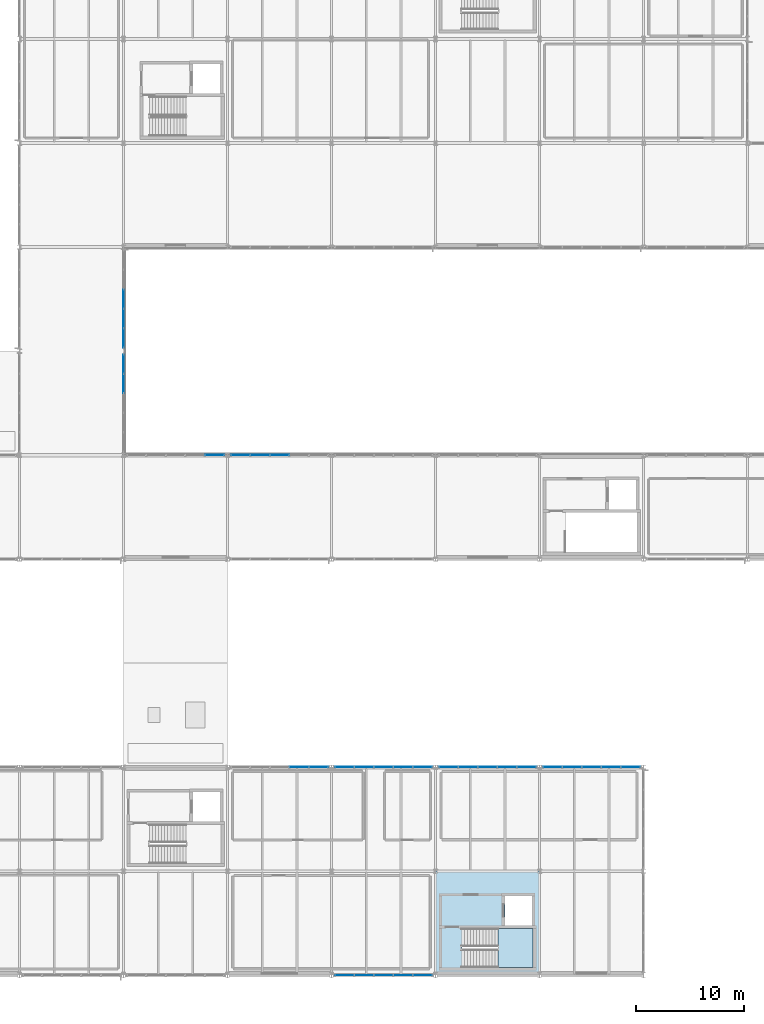
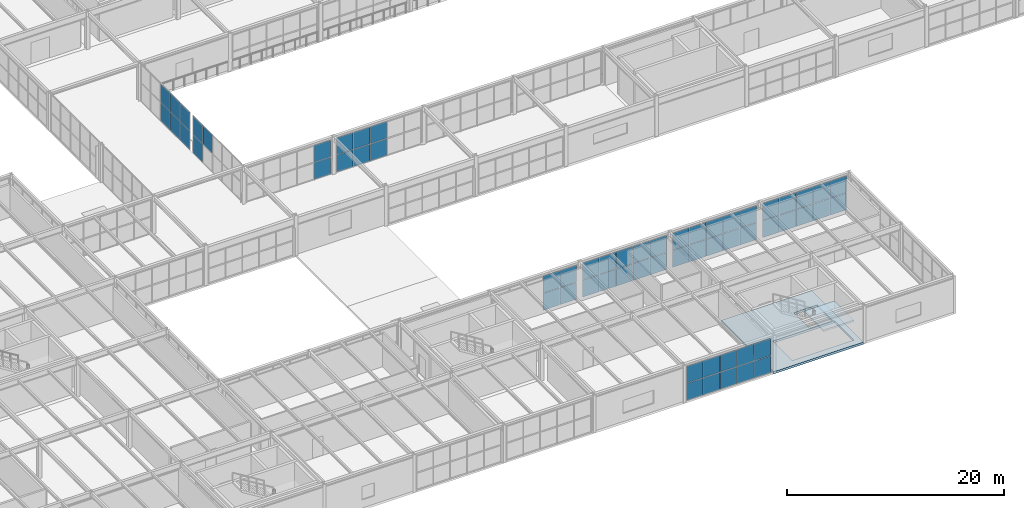
# One storey, part 135 of 170: 61 plates, 2 slabs, 10 elements without a shape of their own.
"""IFC4 building model written with IfcOpenShell, lengths in metres."""

from ifc_helpers import new_model, si_unit, direction, frame, origin, origin_2d, place, context, subcontext, project, spatial, polyline, rectangle, outline, extrude, material, layer, layer_set, type_object, element, aggregate, save


model = new_model("IFC4")

# Units and contexts
model_context = context("Model", 3, precision=1e-05, world=origin(), true_north=direction((0.0, 1.0)))
body_context = subcontext(model_context, "Body", "Model", "MODEL_VIEW")
ifc_project = project(units=[si_unit("LENGTHUNIT", "METRE"), si_unit("AREAUNIT", "SQUARE_METRE"), si_unit("VOLUMEUNIT", "CUBIC_METRE"), si_unit("PLANEANGLEUNIT", "RADIAN"), si_unit("MASSUNIT", "GRAM", prefix="KILO")], contexts=[model_context])

# Site, building, storey
site_placement = place(None, origin())
site = spatial("IfcSite", under=ifc_project, at=site_placement, CompositionType="ELEMENT")
building_placement = place(site_placement, origin())
building = spatial("IfcBuilding", under=site, at=building_placement, Name="Coralgate Yard Interchange", CompositionType="ELEMENT")
storey_placement = place(building_placement, frame((0.0, 0.0, 6.0)))
storey = spatial("IfcBuildingStorey", under=building, at=storey_placement, Name="L01", CompositionType="ELEMENT", Elevation=6.0)

# Curtain wall, plates
ifc_material_1 = material(Name="Anodised coastal aluminium and solar-control low-E glass", Category="aluminium")
curtain_wall_type_1 = type_object("IfcCurtainWallType", Name="CW-CW-L01-B", PredefinedType="NOTDEFINED", material=ifc_material_1)
curtain_wall_1_placement = place(storey_placement, origin())
curtain_wall_1 = element("IfcCurtainWall", 1, at=curtain_wall_1_placement, inside=storey, type_object=curtain_wall_type_1, Name="L01 unitised curtain wall CW-L01-E-04-05", PredefinedType="NOTDEFINED")
ifc_material_2 = material(Name="Solar-control double-glazed low-E glass unit", Category="glass")
ifc_layer_1 = layer(ifc_material_2, 0.031982421875)
ifc_layer_set_1 = layer_set([ifc_layer_1], Name="Solar-control double-glazed low-E glass unit")
plate_type = type_object("IfcPlateType", Name="PLT-CP-32", PredefinedType="CURTAIN_PANEL", material=ifc_layer_set_1)
plate_1_placement = place(storey_placement, frame((48.0, 56.39990234375, 0.02490234375), z_axis=(0.0, 0.0, 1.0), x_axis=(0.0, -1.0, 0.0)))
plate_1 = element("IfcPlate", 2, at=plate_1_placement, type_object=plate_type, Name="CW-L01-E-04-05 solar-control glazing panel 1-1", PredefinedType="CURTAIN_PANEL", context=body_context, shape_type="SweptSolid", body=[
    extrude(rectangle(XDim=1.75, YDim=0.031982421875, at=origin_2d()), origin(), (0.0, 0.0, 1.0), 2.074951171875),
])
plate_2_placement = place(storey_placement, frame((48.0, 56.39990234375, 2.14990234375), z_axis=(0.0, 0.0, 1.0), x_axis=(0.0, -1.0, 0.0)))
plate_2 = element("IfcPlate", 3, at=plate_2_placement, type_object=plate_type, Name="CW-L01-E-04-05 solar-control glazing panel 1-2", PredefinedType="CURTAIN_PANEL", context=body_context, shape_type="SweptSolid", body=[
    extrude(rectangle(XDim=1.75, YDim=0.031982421875, at=origin_2d()), origin(), (0.0, 0.0, 1.0), 2.074951171875),
])
plate_3_placement = place(storey_placement, frame((48.0, 54.60009765625, 2.14990234375), z_axis=(0.0, 0.0, 1.0), x_axis=(0.0, -1.0, 0.0)))
plate_3 = element("IfcPlate", 4, at=plate_3_placement, type_object=plate_type, Name="CW-L01-E-04-05 solar-control glazing panel 2-2", PredefinedType="CURTAIN_PANEL", context=body_context, shape_type="SweptSolid", body=[
    extrude(rectangle(XDim=1.75, YDim=0.031982421875, at=origin_2d()), origin(), (0.0, 0.0, 1.0), 2.074951171875),
])
aggregate(curtain_wall_1, [plate_1, plate_2, plate_3])

curtain_wall_2_placement = place(storey_placement, origin())
curtain_wall_2 = element("IfcCurtainWall", 5, at=curtain_wall_2_placement, inside=storey, type_object=curtain_wall_type_1, Name="L01 unitised curtain wall CW-L01-E-04-06", PredefinedType="NOTDEFINED")
plate_4_placement = place(storey_placement, frame((48.0, 62.39990234375, 0.02490234375), z_axis=(0.0, 0.0, 1.0), x_axis=(0.0, -1.0, 0.0)))
plate_4 = element("IfcPlate", 6, at=plate_4_placement, type_object=plate_type, Name="CW-L01-E-04-06 solar-control glazing panel 3-1", PredefinedType="CURTAIN_PANEL", context=body_context, shape_type="SweptSolid", body=[
    extrude(rectangle(XDim=1.75, YDim=0.031982421875, at=origin_2d()), origin(), (0.0, 0.0, 1.0), 2.074951171875),
])
plate_5_placement = place(storey_placement, frame((48.0, 62.39990234375, 2.14990234375), z_axis=(0.0, 0.0, 1.0), x_axis=(0.0, -1.0, 0.0)))
plate_5 = element("IfcPlate", 7, at=plate_5_placement, type_object=plate_type, Name="CW-L01-E-04-06 solar-control glazing panel 3-2", PredefinedType="CURTAIN_PANEL", context=body_context, shape_type="SweptSolid", body=[
    extrude(rectangle(XDim=1.75, YDim=0.031982421875, at=origin_2d()), origin(), (0.0, 0.0, 1.0), 2.074951171875),
])
plate_6_placement = place(storey_placement, frame((48.0, 60.60009765625, 0.02490234375), z_axis=(0.0, 0.0, 1.0), x_axis=(0.0, -1.0, 0.0)))
plate_6 = element("IfcPlate", 8, at=plate_6_placement, type_object=plate_type, Name="CW-L01-E-04-06 solar-control glazing panel 4-1", PredefinedType="CURTAIN_PANEL", context=body_context, shape_type="SweptSolid", body=[
    extrude(rectangle(XDim=1.75, YDim=0.031982421875, at=origin_2d()), origin(), (0.0, 0.0, 1.0), 2.074951171875),
])
plate_7_placement = place(storey_placement, frame((48.0, 60.60009765625, 2.14990234375), z_axis=(0.0, 0.0, 1.0), x_axis=(0.0, -1.0, 0.0)))
plate_7 = element("IfcPlate", 9, at=plate_7_placement, type_object=plate_type, Name="CW-L01-E-04-06 solar-control glazing panel 4-2", PredefinedType="CURTAIN_PANEL", context=body_context, shape_type="SweptSolid", body=[
    extrude(rectangle(XDim=1.75, YDim=0.031982421875, at=origin_2d()), origin(), (0.0, 0.0, 1.0), 2.074951171875),
])
plate_8_placement = place(storey_placement, frame((48.0, 58.800048828125, 0.02490234375), z_axis=(0.0, 0.0, 1.0), x_axis=(0.0, -1.0, 0.0)))
plate_8 = element("IfcPlate", 10, at=plate_8_placement, type_object=plate_type, Name="CW-L01-E-04-06 solar-control glazing panel 5-1", PredefinedType="CURTAIN_PANEL", context=body_context, shape_type="SweptSolid", body=[
    extrude(rectangle(XDim=1.75, YDim=0.031982421875, at=origin_2d()), origin(), (0.0, 0.0, 1.0), 2.074951171875),
])
plate_9_placement = place(storey_placement, frame((48.0, 58.800048828125, 2.14990234375), z_axis=(0.0, 0.0, 1.0), x_axis=(0.0, -1.0, 0.0)))
plate_9 = element("IfcPlate", 11, at=plate_9_placement, type_object=plate_type, Name="CW-L01-E-04-06 solar-control glazing panel 5-2", PredefinedType="CURTAIN_PANEL", context=body_context, shape_type="SweptSolid", body=[
    extrude(rectangle(XDim=1.75, YDim=0.031982421875, at=origin_2d()), origin(), (0.0, 0.0, 1.0), 2.074951171875),
])
aggregate(curtain_wall_2, [plate_4, plate_5, plate_6, plate_7, plate_8, plate_9])

curtain_wall_3_placement = place(storey_placement, origin())
curtain_wall_3 = element("IfcCurtainWall", 12, at=curtain_wall_3_placement, inside=storey, type_object=curtain_wall_type_1, Name="L01 unitised curtain wall CW-L01-N-05-04", PredefinedType="NOTDEFINED")
plate_10_placement = place(storey_placement, frame((56.39990234375, 48.0, 0.025146484375), z_axis=(0.0, 0.0, 1.0), x_axis=(1.0, 0.0, 0.0)))
plate_10 = element("IfcPlate", 13, at=plate_10_placement, type_object=plate_type, Name="CW-L01-N-05-04 solar-control glazing panel 5-1", PredefinedType="CURTAIN_PANEL", context=body_context, shape_type="SweptSolid", body=[
    extrude(rectangle(XDim=1.75, YDim=0.031982421875, at=origin_2d()), origin(), (0.0, 0.0, 1.0), 1.89990234375),
])
plate_11_placement = place(storey_placement, frame((56.39990234375, 48.0, 1.97509765625), z_axis=(0.0, 0.0, 1.0), x_axis=(1.0, 0.0, 0.0)))
plate_11 = element("IfcPlate", 14, at=plate_11_placement, type_object=plate_type, Name="CW-L01-N-05-04 solar-control glazing panel 5-2", PredefinedType="CURTAIN_PANEL", context=body_context, shape_type="SweptSolid", body=[
    extrude(rectangle(XDim=1.75, YDim=0.031982421875, at=origin_2d()), origin(), (0.0, 0.0, 1.0), 1.89990234375),
])
aggregate(curtain_wall_3, [plate_10, plate_11])

curtain_wall_4_placement = place(storey_placement, origin())
curtain_wall_4 = element("IfcCurtainWall", 15, at=curtain_wall_4_placement, inside=storey, type_object=curtain_wall_type_1, Name="L01 unitised curtain wall CW-L01-N-06-01", PredefinedType="NOTDEFINED")
plate_12_placement = place(storey_placement, frame((64.199951171875, 19.199951171875, 0.025146484375), z_axis=(0.0, 0.0, 1.0), x_axis=(1.0, 0.0, 0.0)))
plate_12 = element("IfcPlate", 16, at=plate_12_placement, type_object=plate_type, Name="CW-L01-N-06-01 solar-control glazing panel 4-1", PredefinedType="CURTAIN_PANEL", context=body_context, shape_type="SweptSolid", body=[
    extrude(rectangle(XDim=1.75, YDim=0.031982421875, at=origin_2d()), origin(), (0.0, 0.0, 1.0), 1.89990234375),
])
plate_13_placement = place(storey_placement, frame((64.199951171875, 19.199951171875, 1.97509765625), z_axis=(0.0, 0.0, 1.0), x_axis=(1.0, 0.0, 0.0)))
plate_13 = element("IfcPlate", 17, at=plate_13_placement, type_object=plate_type, Name="CW-L01-N-06-01 solar-control glazing panel 4-2", PredefinedType="CURTAIN_PANEL", context=body_context, shape_type="SweptSolid", body=[
    extrude(rectangle(XDim=1.75, YDim=0.031982421875, at=origin_2d()), origin(), (0.0, 0.0, 1.0), 1.89990234375),
])
plate_14_placement = place(storey_placement, frame((66.0, 19.199951171875, 0.025146484375), z_axis=(0.0, 0.0, 1.0), x_axis=(1.0, 0.0, 0.0)))
plate_14 = element("IfcPlate", 18, at=plate_14_placement, type_object=plate_type, Name="CW-L01-N-06-01 solar-control glazing panel 5-1", PredefinedType="CURTAIN_PANEL", context=body_context, shape_type="SweptSolid", body=[
    extrude(rectangle(XDim=1.75, YDim=0.031982421875, at=origin_2d()), origin(), (0.0, 0.0, 1.0), 1.89990234375),
])
plate_15_placement = place(storey_placement, frame((66.0, 19.199951171875, 1.97509765625), z_axis=(0.0, 0.0, 1.0), x_axis=(1.0, 0.0, 0.0)))
plate_15 = element("IfcPlate", 19, at=plate_15_placement, type_object=plate_type, Name="CW-L01-N-06-01 solar-control glazing panel 5-2", PredefinedType="CURTAIN_PANEL", context=body_context, shape_type="SweptSolid", body=[
    extrude(rectangle(XDim=1.75, YDim=0.031982421875, at=origin_2d()), origin(), (0.0, 0.0, 1.0), 1.89990234375),
])
aggregate(curtain_wall_4, [plate_12, plate_13, plate_14, plate_15])

curtain_wall_5_placement = place(storey_placement, origin())
curtain_wall_5 = element("IfcCurtainWall", 20, at=curtain_wall_5_placement, inside=storey, type_object=curtain_wall_type_1, Name="L01 unitised curtain wall CW-L01-N-06-04", PredefinedType="NOTDEFINED")
plate_16_placement = place(storey_placement, frame((58.800048828125, 48.0, 0.025146484375), z_axis=(0.0, 0.0, 1.0), x_axis=(1.0, 0.0, 0.0)))
plate_16 = element("IfcPlate", 21, at=plate_16_placement, type_object=plate_type, Name="CW-L01-N-06-04 solar-control glazing panel 1-1", PredefinedType="CURTAIN_PANEL", context=body_context, shape_type="SweptSolid", body=[
    extrude(rectangle(XDim=1.75, YDim=0.031982421875, at=origin_2d()), origin(), (0.0, 0.0, 1.0), 1.89990234375),
])
plate_17_placement = place(storey_placement, frame((58.800048828125, 48.0, 1.97509765625), z_axis=(0.0, 0.0, 1.0), x_axis=(1.0, 0.0, 0.0)))
plate_17 = element("IfcPlate", 22, at=plate_17_placement, type_object=plate_type, Name="CW-L01-N-06-04 solar-control glazing panel 1-2", PredefinedType="CURTAIN_PANEL", context=body_context, shape_type="SweptSolid", body=[
    extrude(rectangle(XDim=1.75, YDim=0.031982421875, at=origin_2d()), origin(), (0.0, 0.0, 1.0), 1.89990234375),
])
plate_18_placement = place(storey_placement, frame((60.60009765625, 48.0, 0.025146484375), z_axis=(0.0, 0.0, 1.0), x_axis=(1.0, 0.0, 0.0)))
plate_18 = element("IfcPlate", 23, at=plate_18_placement, type_object=plate_type, Name="CW-L01-N-06-04 solar-control glazing panel 2-1", PredefinedType="CURTAIN_PANEL", context=body_context, shape_type="SweptSolid", body=[
    extrude(rectangle(XDim=1.75, YDim=0.031982421875, at=origin_2d()), origin(), (0.0, 0.0, 1.0), 1.89990234375),
])
plate_19_placement = place(storey_placement, frame((60.60009765625, 48.0, 1.97509765625), z_axis=(0.0, 0.0, 1.0), x_axis=(1.0, 0.0, 0.0)))
plate_19 = element("IfcPlate", 24, at=plate_19_placement, type_object=plate_type, Name="CW-L01-N-06-04 solar-control glazing panel 2-2", PredefinedType="CURTAIN_PANEL", context=body_context, shape_type="SweptSolid", body=[
    extrude(rectangle(XDim=1.75, YDim=0.031982421875, at=origin_2d()), origin(), (0.0, 0.0, 1.0), 1.89990234375),
])
plate_20_placement = place(storey_placement, frame((62.39990234375, 48.0, 0.025146484375), z_axis=(0.0, 0.0, 1.0), x_axis=(1.0, 0.0, 0.0)))
plate_20 = element("IfcPlate", 25, at=plate_20_placement, type_object=plate_type, Name="CW-L01-N-06-04 solar-control glazing panel 3-1", PredefinedType="CURTAIN_PANEL", context=body_context, shape_type="SweptSolid", body=[
    extrude(rectangle(XDim=1.75, YDim=0.031982421875, at=origin_2d()), origin(), (0.0, 0.0, 1.0), 1.89990234375),
])
plate_21_placement = place(storey_placement, frame((62.39990234375, 48.0, 1.97509765625), z_axis=(0.0, 0.0, 1.0), x_axis=(1.0, 0.0, 0.0)))
plate_21 = element("IfcPlate", 26, at=plate_21_placement, type_object=plate_type, Name="CW-L01-N-06-04 solar-control glazing panel 3-2", PredefinedType="CURTAIN_PANEL", context=body_context, shape_type="SweptSolid", body=[
    extrude(rectangle(XDim=1.75, YDim=0.031982421875, at=origin_2d()), origin(), (0.0, 0.0, 1.0), 1.89990234375),
])
aggregate(curtain_wall_5, [plate_16, plate_17, plate_18, plate_19, plate_20, plate_21])

curtain_wall_type_2 = type_object("IfcCurtainWallType", Name="CW-CW-L01-A", PredefinedType="NOTDEFINED", material=ifc_material_1)
curtain_wall_6_placement = place(storey_placement, origin())
curtain_wall_6 = element("IfcCurtainWall", 27, at=curtain_wall_6_placement, inside=storey, type_object=curtain_wall_type_2, Name="L01 unitised curtain wall CW-L01-S-07-00", PredefinedType="NOTDEFINED")
plate_22_placement = place(storey_placement, frame((75.60009765625, 0.0, 0.025146484375), z_axis=(0.0, 0.0, 1.0), x_axis=(-1.0, 0.0, 0.0)))
plate_22 = element("IfcPlate", 28, at=plate_22_placement, type_object=plate_type, Name="CW-L01-S-07-00 solar-control glazing panel 1-1", PredefinedType="CURTAIN_PANEL", context=body_context, shape_type="SweptSolid", body=[
    extrude(rectangle(XDim=1.75, YDim=0.031982421875, at=origin_2d()), origin(), (0.0, 0.0, 1.0), 1.89990234375),
])
plate_23_placement = place(storey_placement, frame((75.60009765625, 0.0, 1.97509765625), z_axis=(0.0, 0.0, 1.0), x_axis=(-1.0, 0.0, 0.0)))
plate_23 = element("IfcPlate", 29, at=plate_23_placement, type_object=plate_type, Name="CW-L01-S-07-00 solar-control glazing panel 1-2", PredefinedType="CURTAIN_PANEL", context=body_context, shape_type="SweptSolid", body=[
    extrude(rectangle(XDim=1.75, YDim=0.031982421875, at=origin_2d()), origin(), (0.0, 0.0, 1.0), 1.89990234375),
])
plate_24_placement = place(storey_placement, frame((73.800048828125, 0.0, 0.025146484375), z_axis=(0.0, 0.0, 1.0), x_axis=(-1.0, 0.0, 0.0)))
plate_24 = element("IfcPlate", 30, at=plate_24_placement, type_object=plate_type, Name="CW-L01-S-07-00 solar-control glazing panel 2-1", PredefinedType="CURTAIN_PANEL", context=body_context, shape_type="SweptSolid", body=[
    extrude(rectangle(XDim=1.75, YDim=0.031982421875, at=origin_2d()), origin(), (0.0, 0.0, 1.0), 1.89990234375),
])
plate_25_placement = place(storey_placement, frame((73.800048828125, 0.0, 1.97509765625), z_axis=(0.0, 0.0, 1.0), x_axis=(-1.0, 0.0, 0.0)))
plate_25 = element("IfcPlate", 31, at=plate_25_placement, type_object=plate_type, Name="CW-L01-S-07-00 solar-control glazing panel 2-2", PredefinedType="CURTAIN_PANEL", context=body_context, shape_type="SweptSolid", body=[
    extrude(rectangle(XDim=1.75, YDim=0.031982421875, at=origin_2d()), origin(), (0.0, 0.0, 1.0), 1.89990234375),
])
plate_26_placement = place(storey_placement, frame((72.0, 0.0, 0.025146484375), z_axis=(0.0, 0.0, 1.0), x_axis=(-1.0, 0.0, 0.0)))
plate_26 = element("IfcPlate", 32, at=plate_26_placement, type_object=plate_type, Name="CW-L01-S-07-00 solar-control glazing panel 3-1", PredefinedType="CURTAIN_PANEL", context=body_context, shape_type="SweptSolid", body=[
    extrude(rectangle(XDim=1.75, YDim=0.031982421875, at=origin_2d()), origin(), (0.0, 0.0, 1.0), 1.89990234375),
])
plate_27_placement = place(storey_placement, frame((72.0, 0.0, 1.97509765625), z_axis=(0.0, 0.0, 1.0), x_axis=(-1.0, 0.0, 0.0)))
plate_27 = element("IfcPlate", 33, at=plate_27_placement, type_object=plate_type, Name="CW-L01-S-07-00 solar-control glazing panel 3-2", PredefinedType="CURTAIN_PANEL", context=body_context, shape_type="SweptSolid", body=[
    extrude(rectangle(XDim=1.75, YDim=0.031982421875, at=origin_2d()), origin(), (0.0, 0.0, 1.0), 1.89990234375),
])
plate_28_placement = place(storey_placement, frame((70.199951171875, 0.0, 0.025146484375), z_axis=(0.0, 0.0, 1.0), x_axis=(-1.0, 0.0, 0.0)))
plate_28 = element("IfcPlate", 34, at=plate_28_placement, type_object=plate_type, Name="CW-L01-S-07-00 solar-control glazing panel 4-1", PredefinedType="CURTAIN_PANEL", context=body_context, shape_type="SweptSolid", body=[
    extrude(rectangle(XDim=1.75, YDim=0.031982421875, at=origin_2d()), origin(), (0.0, 0.0, 1.0), 1.89990234375),
])
plate_29_placement = place(storey_placement, frame((70.199951171875, 0.0, 1.97509765625), z_axis=(0.0, 0.0, 1.0), x_axis=(-1.0, 0.0, 0.0)))
plate_29 = element("IfcPlate", 35, at=plate_29_placement, type_object=plate_type, Name="CW-L01-S-07-00 solar-control glazing panel 4-2", PredefinedType="CURTAIN_PANEL", context=body_context, shape_type="SweptSolid", body=[
    extrude(rectangle(XDim=1.75, YDim=0.031982421875, at=origin_2d()), origin(), (0.0, 0.0, 1.0), 1.89990234375),
])
plate_30_placement = place(storey_placement, frame((68.39990234375, 0.0, 0.025146484375), z_axis=(0.0, 0.0, 1.0), x_axis=(-1.0, 0.0, 0.0)))
plate_30 = element("IfcPlate", 36, at=plate_30_placement, type_object=plate_type, Name="CW-L01-S-07-00 solar-control glazing panel 5-1", PredefinedType="CURTAIN_PANEL", context=body_context, shape_type="SweptSolid", body=[
    extrude(rectangle(XDim=1.75, YDim=0.031982421875, at=origin_2d()), origin(), (0.0, 0.0, 1.0), 1.89990234375),
])
plate_31_placement = place(storey_placement, frame((68.39990234375, 0.0, 1.97509765625), z_axis=(0.0, 0.0, 1.0), x_axis=(-1.0, 0.0, 0.0)))
plate_31 = element("IfcPlate", 37, at=plate_31_placement, type_object=plate_type, Name="CW-L01-S-07-00 solar-control glazing panel 5-2", PredefinedType="CURTAIN_PANEL", context=body_context, shape_type="SweptSolid", body=[
    extrude(rectangle(XDim=1.75, YDim=0.031982421875, at=origin_2d()), origin(), (0.0, 0.0, 1.0), 1.89990234375),
])
aggregate(curtain_wall_6, [plate_22, plate_23, plate_24, plate_25, plate_26, plate_27, plate_28, plate_29, plate_30, plate_31])

curtain_wall_7_placement = place(storey_placement, origin())
curtain_wall_7 = element("IfcCurtainWall", 38, at=curtain_wall_7_placement, inside=storey, type_object=curtain_wall_type_1, Name="L01 unitised curtain wall CW-L01-N-07-01", PredefinedType="NOTDEFINED")
plate_32_placement = place(storey_placement, frame((68.39990234375, 19.199951171875, 0.025146484375), z_axis=(0.0, 0.0, 1.0), x_axis=(1.0, 0.0, 0.0)))
plate_32 = element("IfcPlate", 39, at=plate_32_placement, type_object=plate_type, Name="CW-L01-N-07-01 solar-control glazing panel 1-1", PredefinedType="CURTAIN_PANEL", context=body_context, shape_type="SweptSolid", body=[
    extrude(rectangle(XDim=1.75, YDim=0.031982421875, at=origin_2d()), origin(), (0.0, 0.0, 1.0), 1.89990234375),
])
plate_33_placement = place(storey_placement, frame((68.39990234375, 19.199951171875, 1.97509765625), z_axis=(0.0, 0.0, 1.0), x_axis=(1.0, 0.0, 0.0)))
plate_33 = element("IfcPlate", 40, at=plate_33_placement, type_object=plate_type, Name="CW-L01-N-07-01 solar-control glazing panel 1-2", PredefinedType="CURTAIN_PANEL", context=body_context, shape_type="SweptSolid", body=[
    extrude(rectangle(XDim=1.75, YDim=0.031982421875, at=origin_2d()), origin(), (0.0, 0.0, 1.0), 1.89990234375),
])
plate_34_placement = place(storey_placement, frame((70.199951171875, 19.199951171875, 0.025146484375), z_axis=(0.0, 0.0, 1.0), x_axis=(1.0, 0.0, 0.0)))
plate_34 = element("IfcPlate", 41, at=plate_34_placement, type_object=plate_type, Name="CW-L01-N-07-01 solar-control glazing panel 2-1", PredefinedType="CURTAIN_PANEL", context=body_context, shape_type="SweptSolid", body=[
    extrude(rectangle(XDim=1.75, YDim=0.031982421875, at=origin_2d()), origin(), (0.0, 0.0, 1.0), 1.89990234375),
])
plate_35_placement = place(storey_placement, frame((70.199951171875, 19.199951171875, 1.97509765625), z_axis=(0.0, 0.0, 1.0), x_axis=(1.0, 0.0, 0.0)))
plate_35 = element("IfcPlate", 42, at=plate_35_placement, type_object=plate_type, Name="CW-L01-N-07-01 solar-control glazing panel 2-2", PredefinedType="CURTAIN_PANEL", context=body_context, shape_type="SweptSolid", body=[
    extrude(rectangle(XDim=1.75, YDim=0.031982421875, at=origin_2d()), origin(), (0.0, 0.0, 1.0), 1.89990234375),
])
plate_36_placement = place(storey_placement, frame((72.0, 19.199951171875, 0.025146484375), z_axis=(0.0, 0.0, 1.0), x_axis=(1.0, 0.0, 0.0)))
plate_36 = element("IfcPlate", 43, at=plate_36_placement, type_object=plate_type, Name="CW-L01-N-07-01 solar-control glazing panel 3-1", PredefinedType="CURTAIN_PANEL", context=body_context, shape_type="SweptSolid", body=[
    extrude(rectangle(XDim=1.75, YDim=0.031982421875, at=origin_2d()), origin(), (0.0, 0.0, 1.0), 1.89990234375),
])
plate_37_placement = place(storey_placement, frame((72.0, 19.199951171875, 1.97509765625), z_axis=(0.0, 0.0, 1.0), x_axis=(1.0, 0.0, 0.0)))
plate_37 = element("IfcPlate", 44, at=plate_37_placement, type_object=plate_type, Name="CW-L01-N-07-01 solar-control glazing panel 3-2", PredefinedType="CURTAIN_PANEL", context=body_context, shape_type="SweptSolid", body=[
    extrude(rectangle(XDim=1.75, YDim=0.031982421875, at=origin_2d()), origin(), (0.0, 0.0, 1.0), 1.89990234375),
])
plate_38_placement = place(storey_placement, frame((73.800048828125, 19.199951171875, 0.025146484375), z_axis=(0.0, 0.0, 1.0), x_axis=(1.0, 0.0, 0.0)))
plate_38 = element("IfcPlate", 45, at=plate_38_placement, type_object=plate_type, Name="CW-L01-N-07-01 solar-control glazing panel 4-1", PredefinedType="CURTAIN_PANEL", context=body_context, shape_type="SweptSolid", body=[
    extrude(rectangle(XDim=1.75, YDim=0.031982421875, at=origin_2d()), origin(), (0.0, 0.0, 1.0), 1.89990234375),
])
plate_39_placement = place(storey_placement, frame((73.800048828125, 19.199951171875, 1.97509765625), z_axis=(0.0, 0.0, 1.0), x_axis=(1.0, 0.0, 0.0)))
plate_39 = element("IfcPlate", 46, at=plate_39_placement, type_object=plate_type, Name="CW-L01-N-07-01 solar-control glazing panel 4-2", PredefinedType="CURTAIN_PANEL", context=body_context, shape_type="SweptSolid", body=[
    extrude(rectangle(XDim=1.75, YDim=0.031982421875, at=origin_2d()), origin(), (0.0, 0.0, 1.0), 1.89990234375),
])
plate_40_placement = place(storey_placement, frame((75.60009765625, 19.199951171875, 0.025146484375), z_axis=(0.0, 0.0, 1.0), x_axis=(1.0, 0.0, 0.0)))
plate_40 = element("IfcPlate", 47, at=plate_40_placement, type_object=plate_type, Name="CW-L01-N-07-01 solar-control glazing panel 5-1", PredefinedType="CURTAIN_PANEL", context=body_context, shape_type="SweptSolid", body=[
    extrude(rectangle(XDim=1.75, YDim=0.031982421875, at=origin_2d()), origin(), (0.0, 0.0, 1.0), 1.89990234375),
])
plate_41_placement = place(storey_placement, frame((75.60009765625, 19.199951171875, 1.97509765625), z_axis=(0.0, 0.0, 1.0), x_axis=(1.0, 0.0, 0.0)))
plate_41 = element("IfcPlate", 48, at=plate_41_placement, type_object=plate_type, Name="CW-L01-N-07-01 solar-control glazing panel 5-2", PredefinedType="CURTAIN_PANEL", context=body_context, shape_type="SweptSolid", body=[
    extrude(rectangle(XDim=1.75, YDim=0.031982421875, at=origin_2d()), origin(), (0.0, 0.0, 1.0), 1.89990234375),
])
aggregate(curtain_wall_7, [plate_32, plate_33, plate_34, plate_35, plate_36, plate_37, plate_38, plate_39, plate_40, plate_41])

curtain_wall_8_placement = place(storey_placement, origin())
curtain_wall_8 = element("IfcCurtainWall", 49, at=curtain_wall_8_placement, inside=storey, type_object=curtain_wall_type_1, Name="L01 unitised curtain wall CW-L01-N-08-01", PredefinedType="NOTDEFINED")
plate_42_placement = place(storey_placement, frame((78.0, 19.199951171875, 0.025146484375), z_axis=(0.0, 0.0, 1.0), x_axis=(1.0, 0.0, 0.0)))
plate_42 = element("IfcPlate", 50, at=plate_42_placement, type_object=plate_type, Name="CW-L01-N-08-01 solar-control glazing panel 1-1", PredefinedType="CURTAIN_PANEL", context=body_context, shape_type="SweptSolid", body=[
    extrude(rectangle(XDim=1.75, YDim=0.031982421875, at=origin_2d()), origin(), (0.0, 0.0, 1.0), 1.89990234375),
])
plate_43_placement = place(storey_placement, frame((78.0, 19.199951171875, 1.97509765625), z_axis=(0.0, 0.0, 1.0), x_axis=(1.0, 0.0, 0.0)))
plate_43 = element("IfcPlate", 51, at=plate_43_placement, type_object=plate_type, Name="CW-L01-N-08-01 solar-control glazing panel 1-2", PredefinedType="CURTAIN_PANEL", context=body_context, shape_type="SweptSolid", body=[
    extrude(rectangle(XDim=1.75, YDim=0.031982421875, at=origin_2d()), origin(), (0.0, 0.0, 1.0), 1.89990234375),
])
plate_44_placement = place(storey_placement, frame((79.800048828125, 19.199951171875, 0.025146484375), z_axis=(0.0, 0.0, 1.0), x_axis=(1.0, 0.0, 0.0)))
plate_44 = element("IfcPlate", 52, at=plate_44_placement, type_object=plate_type, Name="CW-L01-N-08-01 solar-control glazing panel 2-1", PredefinedType="CURTAIN_PANEL", context=body_context, shape_type="SweptSolid", body=[
    extrude(rectangle(XDim=1.75, YDim=0.031982421875, at=origin_2d()), origin(), (0.0, 0.0, 1.0), 1.89990234375),
])
plate_45_placement = place(storey_placement, frame((79.800048828125, 19.199951171875, 1.97509765625), z_axis=(0.0, 0.0, 1.0), x_axis=(1.0, 0.0, 0.0)))
plate_45 = element("IfcPlate", 53, at=plate_45_placement, type_object=plate_type, Name="CW-L01-N-08-01 solar-control glazing panel 2-2", PredefinedType="CURTAIN_PANEL", context=body_context, shape_type="SweptSolid", body=[
    extrude(rectangle(XDim=1.75, YDim=0.031982421875, at=origin_2d()), origin(), (0.0, 0.0, 1.0), 1.89990234375),
])
plate_46_placement = place(storey_placement, frame((81.60009765625, 19.199951171875, 0.025146484375), z_axis=(0.0, 0.0, 1.0), x_axis=(1.0, 0.0, 0.0)))
plate_46 = element("IfcPlate", 54, at=plate_46_placement, type_object=plate_type, Name="CW-L01-N-08-01 solar-control glazing panel 3-1", PredefinedType="CURTAIN_PANEL", context=body_context, shape_type="SweptSolid", body=[
    extrude(rectangle(XDim=1.75, YDim=0.031982421875, at=origin_2d()), origin(), (0.0, 0.0, 1.0), 1.89990234375),
])
plate_47_placement = place(storey_placement, frame((81.60009765625, 19.199951171875, 1.97509765625), z_axis=(0.0, 0.0, 1.0), x_axis=(1.0, 0.0, 0.0)))
plate_47 = element("IfcPlate", 55, at=plate_47_placement, type_object=plate_type, Name="CW-L01-N-08-01 solar-control glazing panel 3-2", PredefinedType="CURTAIN_PANEL", context=body_context, shape_type="SweptSolid", body=[
    extrude(rectangle(XDim=1.75, YDim=0.031982421875, at=origin_2d()), origin(), (0.0, 0.0, 1.0), 1.89990234375),
])
plate_48_placement = place(storey_placement, frame((83.39990234375, 19.199951171875, 0.025146484375), z_axis=(0.0, 0.0, 1.0), x_axis=(1.0, 0.0, 0.0)))
plate_48 = element("IfcPlate", 56, at=plate_48_placement, type_object=plate_type, Name="CW-L01-N-08-01 solar-control glazing panel 4-1", PredefinedType="CURTAIN_PANEL", context=body_context, shape_type="SweptSolid", body=[
    extrude(rectangle(XDim=1.75, YDim=0.031982421875, at=origin_2d()), origin(), (0.0, 0.0, 1.0), 1.89990234375),
])
plate_49_placement = place(storey_placement, frame((83.39990234375, 19.199951171875, 1.97509765625), z_axis=(0.0, 0.0, 1.0), x_axis=(1.0, 0.0, 0.0)))
plate_49 = element("IfcPlate", 57, at=plate_49_placement, type_object=plate_type, Name="CW-L01-N-08-01 solar-control glazing panel 4-2", PredefinedType="CURTAIN_PANEL", context=body_context, shape_type="SweptSolid", body=[
    extrude(rectangle(XDim=1.75, YDim=0.031982421875, at=origin_2d()), origin(), (0.0, 0.0, 1.0), 1.89990234375),
])
plate_50_placement = place(storey_placement, frame((85.199951171875, 19.199951171875, 0.025146484375), z_axis=(0.0, 0.0, 1.0), x_axis=(1.0, 0.0, 0.0)))
plate_50 = element("IfcPlate", 58, at=plate_50_placement, type_object=plate_type, Name="CW-L01-N-08-01 solar-control glazing panel 5-1", PredefinedType="CURTAIN_PANEL", context=body_context, shape_type="SweptSolid", body=[
    extrude(rectangle(XDim=1.75, YDim=0.031982421875, at=origin_2d()), origin(), (0.0, 0.0, 1.0), 1.89990234375),
])
plate_51_placement = place(storey_placement, frame((85.199951171875, 19.199951171875, 1.97509765625), z_axis=(0.0, 0.0, 1.0), x_axis=(1.0, 0.0, 0.0)))
plate_51 = element("IfcPlate", 59, at=plate_51_placement, type_object=plate_type, Name="CW-L01-N-08-01 solar-control glazing panel 5-2", PredefinedType="CURTAIN_PANEL", context=body_context, shape_type="SweptSolid", body=[
    extrude(rectangle(XDim=1.75, YDim=0.031982421875, at=origin_2d()), origin(), (0.0, 0.0, 1.0), 1.89990234375),
])
aggregate(curtain_wall_8, [plate_42, plate_43, plate_44, plate_45, plate_46, plate_47, plate_48, plate_49, plate_50, plate_51])

curtain_wall_9_placement = place(storey_placement, origin())
curtain_wall_9 = element("IfcCurtainWall", 60, at=curtain_wall_9_placement, inside=storey, type_object=curtain_wall_type_2, Name="L01 unitised curtain wall CW-L01-N-09-01", PredefinedType="NOTDEFINED")
plate_52_placement = place(storey_placement, frame((87.60009765625, 19.199951171875, 0.025146484375), z_axis=(0.0, 0.0, 1.0), x_axis=(1.0, 0.0, 0.0)))
plate_52 = element("IfcPlate", 61, at=plate_52_placement, type_object=plate_type, Name="CW-L01-N-09-01 solar-control glazing panel 1-1", PredefinedType="CURTAIN_PANEL", context=body_context, shape_type="SweptSolid", body=[
    extrude(rectangle(XDim=1.75, YDim=0.031982421875, at=origin_2d()), origin(), (0.0, 0.0, 1.0), 1.89990234375),
])
plate_53_placement = place(storey_placement, frame((87.60009765625, 19.199951171875, 1.97509765625), z_axis=(0.0, 0.0, 1.0), x_axis=(1.0, 0.0, 0.0)))
plate_53 = element("IfcPlate", 62, at=plate_53_placement, type_object=plate_type, Name="CW-L01-N-09-01 solar-control glazing panel 1-2", PredefinedType="CURTAIN_PANEL", context=body_context, shape_type="SweptSolid", body=[
    extrude(rectangle(XDim=1.75, YDim=0.031982421875, at=origin_2d()), origin(), (0.0, 0.0, 1.0), 1.89990234375),
])
plate_54_placement = place(storey_placement, frame((89.39990234375, 19.199951171875, 0.025146484375), z_axis=(0.0, 0.0, 1.0), x_axis=(1.0, 0.0, 0.0)))
plate_54 = element("IfcPlate", 63, at=plate_54_placement, type_object=plate_type, Name="CW-L01-N-09-01 solar-control glazing panel 2-1", PredefinedType="CURTAIN_PANEL", context=body_context, shape_type="SweptSolid", body=[
    extrude(rectangle(XDim=1.75, YDim=0.031982421875, at=origin_2d()), origin(), (0.0, 0.0, 1.0), 1.89990234375),
])
plate_55_placement = place(storey_placement, frame((89.39990234375, 19.199951171875, 1.97509765625), z_axis=(0.0, 0.0, 1.0), x_axis=(1.0, 0.0, 0.0)))
plate_55 = element("IfcPlate", 64, at=plate_55_placement, type_object=plate_type, Name="CW-L01-N-09-01 solar-control glazing panel 2-2", PredefinedType="CURTAIN_PANEL", context=body_context, shape_type="SweptSolid", body=[
    extrude(rectangle(XDim=1.75, YDim=0.031982421875, at=origin_2d()), origin(), (0.0, 0.0, 1.0), 1.89990234375),
])
plate_56_placement = place(storey_placement, frame((91.199951171875, 19.199951171875, 0.025146484375), z_axis=(0.0, 0.0, 1.0), x_axis=(1.0, 0.0, 0.0)))
plate_56 = element("IfcPlate", 65, at=plate_56_placement, type_object=plate_type, Name="CW-L01-N-09-01 solar-control glazing panel 3-1", PredefinedType="CURTAIN_PANEL", context=body_context, shape_type="SweptSolid", body=[
    extrude(rectangle(XDim=1.75, YDim=0.031982421875, at=origin_2d()), origin(), (0.0, 0.0, 1.0), 1.89990234375),
])
plate_57_placement = place(storey_placement, frame((91.199951171875, 19.199951171875, 1.97509765625), z_axis=(0.0, 0.0, 1.0), x_axis=(1.0, 0.0, 0.0)))
plate_57 = element("IfcPlate", 66, at=plate_57_placement, type_object=plate_type, Name="CW-L01-N-09-01 solar-control glazing panel 3-2", PredefinedType="CURTAIN_PANEL", context=body_context, shape_type="SweptSolid", body=[
    extrude(rectangle(XDim=1.75, YDim=0.031982421875, at=origin_2d()), origin(), (0.0, 0.0, 1.0), 1.89990234375),
])
plate_58_placement = place(storey_placement, frame((93.0, 19.199951171875, 0.025146484375), z_axis=(0.0, 0.0, 1.0), x_axis=(1.0, 0.0, 0.0)))
plate_58 = element("IfcPlate", 67, at=plate_58_placement, type_object=plate_type, Name="CW-L01-N-09-01 solar-control glazing panel 4-1", PredefinedType="CURTAIN_PANEL", context=body_context, shape_type="SweptSolid", body=[
    extrude(rectangle(XDim=1.75, YDim=0.031982421875, at=origin_2d()), origin(), (0.0, 0.0, 1.0), 1.89990234375),
])
plate_59_placement = place(storey_placement, frame((93.0, 19.199951171875, 1.97509765625), z_axis=(0.0, 0.0, 1.0), x_axis=(1.0, 0.0, 0.0)))
plate_59 = element("IfcPlate", 68, at=plate_59_placement, type_object=plate_type, Name="CW-L01-N-09-01 solar-control glazing panel 4-2", PredefinedType="CURTAIN_PANEL", context=body_context, shape_type="SweptSolid", body=[
    extrude(rectangle(XDim=1.75, YDim=0.031982421875, at=origin_2d()), origin(), (0.0, 0.0, 1.0), 1.89990234375),
])
plate_60_placement = place(storey_placement, frame((94.800048828125, 19.199951171875, 0.025146484375), z_axis=(0.0, 0.0, 1.0), x_axis=(1.0, 0.0, 0.0)))
plate_60 = element("IfcPlate", 69, at=plate_60_placement, type_object=plate_type, Name="CW-L01-N-09-01 solar-control glazing panel 5-1", PredefinedType="CURTAIN_PANEL", context=body_context, shape_type="SweptSolid", body=[
    extrude(rectangle(XDim=1.75, YDim=0.031982421875, at=origin_2d()), origin(), (0.0, 0.0, 1.0), 1.89990234375),
])
plate_61_placement = place(storey_placement, frame((94.800048828125, 19.199951171875, 1.97509765625), z_axis=(0.0, 0.0, 1.0), x_axis=(1.0, 0.0, 0.0)))
plate_61 = element("IfcPlate", 70, at=plate_61_placement, type_object=plate_type, Name="CW-L01-N-09-01 solar-control glazing panel 5-2", PredefinedType="CURTAIN_PANEL", context=body_context, shape_type="SweptSolid", body=[
    extrude(rectangle(XDim=1.75, YDim=0.031982421875, at=origin_2d()), origin(), (0.0, 0.0, 1.0), 1.89990234375),
])
aggregate(curtain_wall_9, [plate_52, plate_53, plate_54, plate_55, plate_56, plate_57, plate_58, plate_59, plate_60, plate_61])

# Stair, slab
ifc_material_3 = material(Name="Concrete C40/50", Category="concrete")
stair_type = type_object("IfcStairType", Name="STR-DL-165-45", PredefinedType="HALF_TURN_STAIR", material=ifc_material_3)
stair_placement = place(storey_placement, origin())
stair = element("IfcStair", 71, at=stair_placement, inside=storey, type_object=stair_type, Name="L01 Escape stair ST-04", PredefinedType="HALF_TURN_STAIR")
ifc_layer_2 = layer(ifc_material_3, 0.199951171875)
ifc_layer_set_2 = layer_set([ifc_layer_2], Name="Concrete C40/50")
slab_type_1 = type_object("IfcSlabType", Name="SLB-LND200", PredefinedType="LANDING", material=ifc_layer_set_2)
slab_1_placement = place(storey_placement, frame((0.0, 0.0, 2.050048828125)))
slab_1 = element("IfcSlab", 72, at=slab_1_placement, type_object=slab_type_1, Name="ST-04 landing 1", PredefinedType="LANDING", context=body_context, shape_type="SweptSolid", body=[
    extrude(outline(polyline([(82.56005859375, 0.719970703125), (85.800048828125, 0.719970703125), (85.800048828125, 4.31005859375), (82.56005859375, 4.31005859375), (82.56005859375, 0.719970703125)])), origin(), (0.0, 0.0, 1.0), 0.199951171875),
])
aggregate(stair, [slab_1])

# Slab
ifc_layer_3 = layer(ifc_material_3, 0.25)
ifc_layer_set_3 = layer_set([ifc_layer_3], Name="Concrete C40/50")
slab_type_2 = type_object("IfcSlabType", Name="SLB-SL-FLR250", PredefinedType="FLOOR", material=ifc_layer_set_3)
slab_2_placement = place(storey_placement, frame((0.0, 0.0, -0.25)))
element("IfcSlab", 73, at=slab_2_placement, inside=storey, type_object=slab_type_2, Name="L01 core C4 structural floor slab", PredefinedType="FLOOR", context=body_context, shape_type="SweptSolid", body=[
    extrude(outline(polyline([(86.39990234375, 9.60009765625), (86.39990234375, 0.0), (76.800048828125, 0.0), (76.800048828125, 9.60009765625), (86.39990234375, 9.60009765625)]), holes=[polyline([(85.800048828125, 4.31005859375), (79.219970703125, 4.31005859375), (79.219970703125, 0.719970703125), (85.800048828125, 0.719970703125), (85.800048828125, 4.31005859375)]), polyline([(85.699951171875, 4.449951171875), (85.699951171875, 7.300048828125), (83.199951171875, 7.300048828125), (83.199951171875, 4.449951171875), (85.699951171875, 4.449951171875)])]), origin(), (0.0, 0.0, 1.0), 0.25),
])

save(model, "model.ifc")
